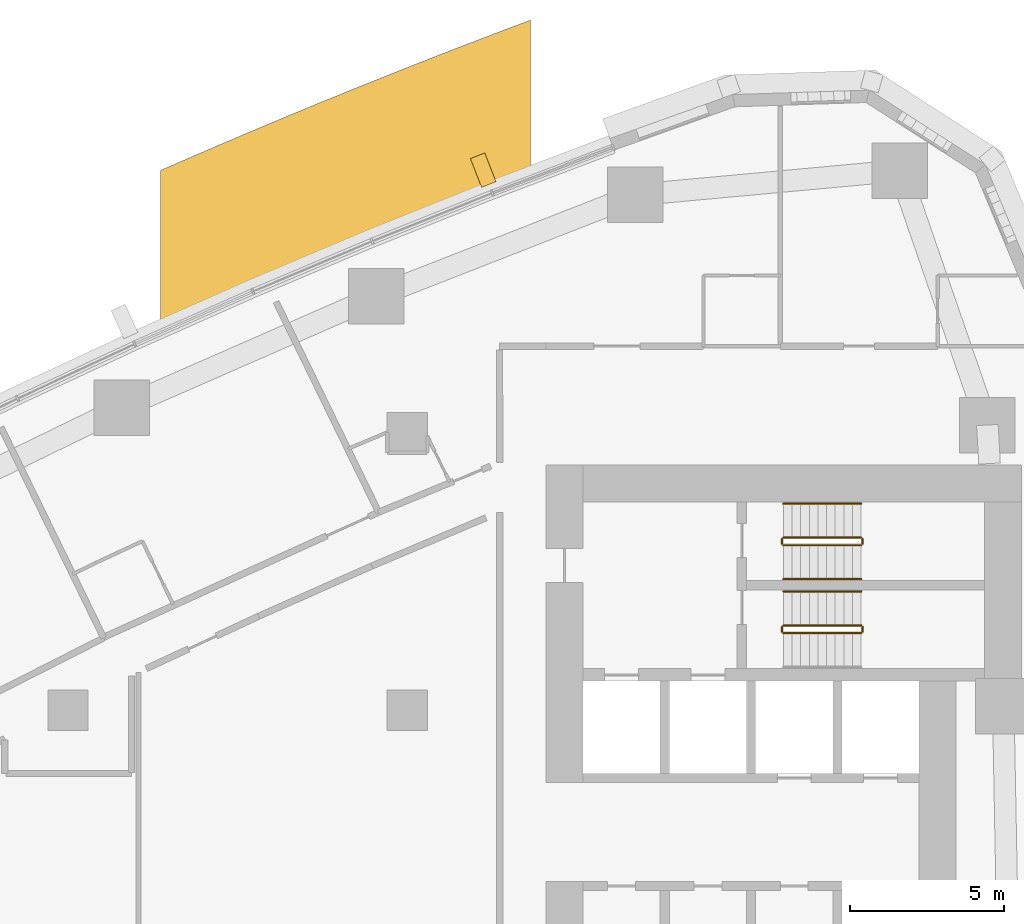
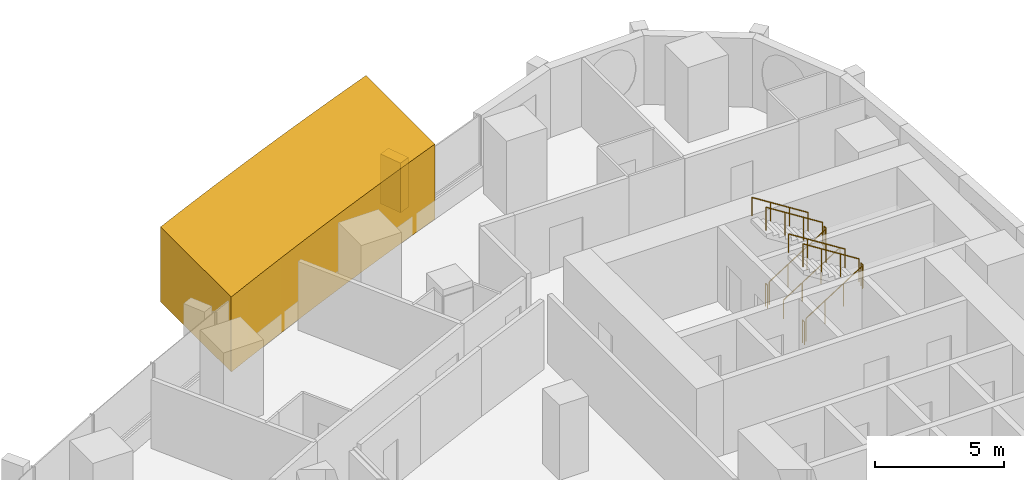
# One storey, part 18 of 19: 11 railings, 2 coverings.
"""IFC4 building model written with IfcOpenShell, lengths in metres."""

from ifc_helpers import new_model, si_unit, direction, frame, frame_2d, origin, origin_2d, place, context, subcontext, project, spatial, polyline, rectangle, circle, outline, extrude, material, layer, layer_set, type_object, element, save


model = new_model("IFC4")

# Units and contexts
model_context = context("Model", 3, precision=1e-05, world=origin(), true_north=direction((0.0, 1.0)))
body_context = subcontext(model_context, "Body", "Model", "MODEL_VIEW")
ifc_project = project(units=[si_unit("LENGTHUNIT", "METRE"), si_unit("AREAUNIT", "SQUARE_METRE"), si_unit("VOLUMEUNIT", "CUBIC_METRE"), si_unit("PLANEANGLEUNIT", "RADIAN"), si_unit("MASSUNIT", "GRAM", prefix="KILO")], contexts=[model_context])

# Site, building, storey
site_placement = place(None, origin())
site = spatial("IfcSite", under=ifc_project, at=site_placement, CompositionType="ELEMENT")
building_placement = place(site_placement, origin())
building = spatial("IfcBuilding", under=site, at=building_placement, Name="Ostrand Prow Hotel Tower", CompositionType="ELEMENT")
storey_placement = place(building_placement, frame((0.0, 0.0, 64.449951171875)))
storey = spatial("IfcBuildingStorey", under=building, at=storey_placement, Name="L14", CompositionType="ELEMENT", Elevation=64.449951171875)

# Coverings
ifc_material_1 = material(Name="Limestone cladding", Category="masonry")
ifc_layer_1 = layer(ifc_material_1, 5.0)
ifc_layer_set_1 = layer_set([ifc_layer_1], Name="Limestone cladding")
covering_type_1 = type_object("IfcCoveringType", Name="Portal jamb pilaster limestone", PredefinedType="CLADDING", material=ifc_layer_set_1)
covering_1_placement = place(storey_placement, origin())
element("IfcCovering", 1, at=covering_1_placement, inside=storey, type_object=covering_type_1, Name="Portal jamb NB L14", PredefinedType="CLADDING", context=body_context, shape_type="SweptSolid", body=[
    extrude(outline(polyline([(37.0, 21.037109375), (38.0, 21.484619140625), (39.0, 21.9267578125), (40.0, 22.363037109375), (41.0, 22.793701171875), (42.0, 23.218505859375), (43.0, 23.637939453125), (44.0, 24.051513671875), (45.0, 24.459716796875), (46.0, 24.862548828125), (47.0, 25.259765625), (48.0, 25.6513671875), (49.0, 26.03759765625), (49.0, 31.384521484375), (48.0, 31.0078125), (47.0, 30.62548828125), (46.0, 30.23828125), (45.0, 29.845703125), (44.0, 29.447509765625), (43.0, 29.044189453125), (42.0, 28.635498046875), (41.0, 28.22119140625), (40.0, 27.801513671875), (39.0, 27.376220703125), (38.0, 26.945556640625), (37.0, 26.50927734375), (37.0, 21.037109375)])), origin(), (0.0, 0.0, 1.0), 3.550048828125),
])
ifc_material_2 = material(Name="Limestone cladding", Category="masonry")
ifc_layer_2 = layer(ifc_material_2, 0.5)
ifc_layer_set_2 = layer_set([ifc_layer_2], Name="Limestone cladding")
covering_type_2 = type_object("IfcCoveringType", Name="Precast stone fin 500x900", PredefinedType="CLADDING", material=ifc_layer_set_2)
covering_2_placement = place(storey_placement, frame((47.64404296875, 26.04931640625, 0.900146484375), z_axis=(0.0, 0.0, 1.0), x_axis=(-0.363294415892, 0.931674389141, 0.0)))
element("IfcCovering", 2, at=covering_2_placement, inside=storey, type_object=covering_type_2, Name="Stone fin N 2", PredefinedType="CLADDING", context=body_context, shape_type="SweptSolid", body=[
    extrude(rectangle(XDim=1.0, YDim=0.5, at=frame_2d((0.5, 0.0))), origin(), (0.0, 0.0, 1.0), 2.349853515625),
])

# Railings
ifc_material_3 = material(Name="Painted steel", Category="steel")
railing_type_1 = type_object("IfcRailingType", Name="Stair guard 1100", PredefinedType="GUARDRAIL", material=ifc_material_3)
railing_1_placement = place(storey_placement, frame((57.199951171875, 11.5, 0.177490234375)))
element("IfcRailing", 3, at=railing_1_placement, inside=storey, type_object=railing_type_1, Name="L14 ST1C stair guard 1", PredefinedType="GUARDRAIL", context=body_context, shape_type="SweptSolid", body=[
    extrude(circle(Radius=0.02392578125, at=origin_2d()), frame((0.0, 0.0, 1.076171875), z_axis=(0.84456994832, 0.0, 0.535445237532), x_axis=(0.0, 1.0, 0.0)), (0.0, 0.0, 1.0), 2.98388671875),
    extrude(circle(Radius=0.02099609375, at=origin_2d()), origin(), (0.0, 0.0, 1.0), 1.052001953125),
    extrude(circle(Radius=0.02099609375, at=origin_2d()), frame((0.840087890625, 0.0, 0.532470703125)), (0.0, 0.0, 1.0), 1.052001953125),
    extrude(circle(Radius=0.02099609375, at=origin_2d()), frame((1.679931640625, 0.0, 1.065185546875)), (0.0, 0.0, 1.0), 1.052001953125),
    extrude(circle(Radius=0.02099609375, at=origin_2d()), frame((2.52001953125, 0.0, 1.59765625)), (0.0, 0.0, 1.0), 1.052001953125),
])
railing_2_placement = place(storey_placement, frame((59.77001953125, 11.550048828125, 1.775146484375)))
element("IfcRailing", 4, at=railing_2_placement, inside=storey, type_object=railing_type_1, Name="L14 ST1C stair guard 2", PredefinedType="GUARDRAIL", context=body_context, shape_type="SweptSolid", body=[
    extrude(circle(Radius=0.02392578125, at=origin_2d()), frame((0.0, 0.0, 1.076171875), z_axis=(0.0, 1.0, 0.0), x_axis=(-1.0, 0.0, 0.0)), (0.0, 0.0, 1.0), 0.14990234375),
    extrude(circle(Radius=0.02099609375, at=origin_2d()), origin(), (0.0, 0.0, 1.0), 1.052001953125),
    extrude(circle(Radius=0.02099609375, at=origin_2d()), frame((0.0, 0.14990234375, 0.0)), (0.0, 0.0, 1.0), 1.052001953125),
])
railing_3_placement = place(storey_placement, frame((59.719970703125, 11.75, 1.95263671875)))
element("IfcRailing", 5, at=railing_3_placement, inside=storey, type_object=railing_type_1, Name="L14 ST1C stair guard 3", PredefinedType="GUARDRAIL", context=body_context, shape_type="SweptSolid", body=[
    extrude(circle(Radius=0.02392578125, at=origin_2d()), frame((0.0, 0.0, 1.076171875), z_axis=(-0.84460694969, 0.0, 0.535386869969), x_axis=(0.0, -1.0, 0.0)), (0.0, 0.0, 1.0), 2.983642578125),
    extrude(circle(Radius=0.02099609375, at=origin_2d()), origin(), (0.0, 0.0, 1.0), 1.052001953125),
    extrude(circle(Radius=0.02099609375, at=origin_2d()), frame((-0.840087890625, 0.0, 0.532470703125)), (0.0, 0.0, 1.0), 1.052001953125),
    extrude(circle(Radius=0.02099609375, at=origin_2d()), frame((-1.679931640625, 0.0, 1.06494140625)), (0.0, 0.0, 1.0), 1.052001953125),
    extrude(circle(Radius=0.02099609375, at=origin_2d()), frame((-2.52001953125, 0.0, 1.597412109375)), (0.0, 0.0, 1.0), 1.052001953125),
])
railing_4_placement = place(storey_placement, frame((57.14990234375, 11.550048828125, 0.0)))
element("IfcRailing", 6, at=railing_4_placement, inside=storey, type_object=railing_type_1, Name="L14 ST1C stair guard 4", PredefinedType="GUARDRAIL", context=body_context, shape_type="SweptSolid", body=[
    extrude(circle(Radius=0.02392578125, at=origin_2d()), frame((0.0, 0.0, 1.076171875), z_axis=(0.0, 1.0, 0.0), x_axis=(-1.0, 0.0, 0.0)), (0.0, 0.0, 1.0), 0.14990234375),
    extrude(circle(Radius=0.02099609375, at=origin_2d()), origin(), (0.0, 0.0, 1.0), 1.052001953125),
    extrude(circle(Radius=0.02099609375, at=origin_2d()), frame((0.0, 0.14990234375, 0.0)), (0.0, 0.0, 1.0), 1.052001953125),
])
railing_5_placement = place(storey_placement, frame((57.199951171875, 14.35009765625, 0.177490234375)))
element("IfcRailing", 7, at=railing_5_placement, inside=storey, type_object=railing_type_1, Name="L14 ST3C stair guard 1", PredefinedType="GUARDRAIL", context=body_context, shape_type="SweptSolid", body=[
    extrude(circle(Radius=0.02392578125, at=origin_2d()), frame((0.0, 0.0, 1.076171875), z_axis=(0.84456994832, 0.0, 0.535445237532), x_axis=(0.0, 1.0, 0.0)), (0.0, 0.0, 1.0), 2.98388671875),
    extrude(circle(Radius=0.02099609375, at=origin_2d()), origin(), (0.0, 0.0, 1.0), 1.052001953125),
    extrude(circle(Radius=0.02099609375, at=origin_2d()), frame((0.840087890625, 0.0, 0.532470703125)), (0.0, 0.0, 1.0), 1.052001953125),
    extrude(circle(Radius=0.02099609375, at=origin_2d()), frame((1.679931640625, 0.0, 1.065185546875)), (0.0, 0.0, 1.0), 1.052001953125),
    extrude(circle(Radius=0.02099609375, at=origin_2d()), frame((2.52001953125, 0.0, 1.59765625)), (0.0, 0.0, 1.0), 1.052001953125),
])
railing_6_placement = place(storey_placement, frame((59.77001953125, 14.39990234375, 1.775146484375)))
element("IfcRailing", 8, at=railing_6_placement, inside=storey, type_object=railing_type_1, Name="L14 ST3C stair guard 2", PredefinedType="GUARDRAIL", context=body_context, shape_type="SweptSolid", body=[
    extrude(circle(Radius=0.02392578125, at=origin_2d()), frame((0.0, 0.0, 1.076171875), z_axis=(0.0, 1.0, 0.0), x_axis=(-1.0, 0.0, 0.0)), (0.0, 0.0, 1.0), 0.150146484375),
    extrude(circle(Radius=0.02099609375, at=origin_2d()), origin(), (0.0, 0.0, 1.0), 1.052001953125),
    extrude(circle(Radius=0.02099609375, at=origin_2d()), frame((0.0, 0.150146484375, 0.0)), (0.0, 0.0, 1.0), 1.052001953125),
])
railing_7_placement = place(storey_placement, frame((59.719970703125, 14.60009765625, 1.95263671875)))
element("IfcRailing", 9, at=railing_7_placement, inside=storey, type_object=railing_type_1, Name="L14 ST3C stair guard 3", PredefinedType="GUARDRAIL", context=body_context, shape_type="SweptSolid", body=[
    extrude(circle(Radius=0.02392578125, at=origin_2d()), frame((0.0, 0.0, 1.076171875), z_axis=(-0.84460694969, 0.0, 0.535386869969), x_axis=(0.0, -1.0, 0.0)), (0.0, 0.0, 1.0), 2.983642578125),
    extrude(circle(Radius=0.02099609375, at=origin_2d()), origin(), (0.0, 0.0, 1.0), 1.052001953125),
    extrude(circle(Radius=0.02099609375, at=origin_2d()), frame((-0.840087890625, 0.0, 0.532470703125)), (0.0, 0.0, 1.0), 1.052001953125),
    extrude(circle(Radius=0.02099609375, at=origin_2d()), frame((-1.679931640625, 0.0, 1.06494140625)), (0.0, 0.0, 1.0), 1.052001953125),
    extrude(circle(Radius=0.02099609375, at=origin_2d()), frame((-2.52001953125, 0.0, 1.597412109375)), (0.0, 0.0, 1.0), 1.052001953125),
])
railing_8_placement = place(storey_placement, frame((57.14990234375, 14.39990234375, 0.0)))
element("IfcRailing", 10, at=railing_8_placement, inside=storey, type_object=railing_type_1, Name="L14 ST3C stair guard 4", PredefinedType="GUARDRAIL", context=body_context, shape_type="SweptSolid", body=[
    extrude(circle(Radius=0.02392578125, at=origin_2d()), frame((0.0, 0.0, 1.076171875), z_axis=(0.0, 1.0, 0.0), x_axis=(-1.0, 0.0, 0.0)), (0.0, 0.0, 1.0), 0.150146484375),
    extrude(circle(Radius=0.02099609375, at=origin_2d()), origin(), (0.0, 0.0, 1.0), 1.052001953125),
    extrude(circle(Radius=0.02099609375, at=origin_2d()), frame((0.0, 0.150146484375, 0.0)), (0.0, 0.0, 1.0), 1.052001953125),
])
ifc_material_4 = material(Name="Stainless steel", Category="steel")
railing_type_2 = type_object("IfcRailingType", Name="Stair handrail 900", PredefinedType="HANDRAIL", material=ifc_material_4)
railing_9_placement = place(storey_placement, frame((59.719970703125, 12.85009765625, 1.95263671875)))
element("IfcRailing", 11, at=railing_9_placement, inside=storey, type_object=railing_type_2, Name="L14 ST1C stair handrail 2", PredefinedType="HANDRAIL", context=body_context, shape_type="SweptSolid", body=[
    extrude(circle(Radius=0.02392578125, at=origin_2d()), frame((0.0, 0.0, 0.8759765625), z_axis=(-0.84460694969, 0.0, 0.535386869969), x_axis=(0.0, -1.0, 0.0)), (0.0, 0.0, 1.0), 2.983642578125),
    extrude(circle(Radius=0.02099609375, at=origin_2d()), origin(), (0.0, 0.0, 1.0), 0.851806640625),
    extrude(circle(Radius=0.02099609375, at=origin_2d()), frame((-0.840087890625, 0.0, 0.532470703125)), (0.0, 0.0, 1.0), 0.851806640625),
    extrude(circle(Radius=0.02099609375, at=origin_2d()), frame((-1.679931640625, 0.0, 1.06494140625)), (0.0, 0.0, 1.0), 0.851806640625),
    extrude(circle(Radius=0.02099609375, at=origin_2d()), frame((-2.52001953125, 0.0, 1.597412109375)), (0.0, 0.0, 1.0), 0.851806640625),
])
railing_10_placement = place(storey_placement, frame((57.199951171875, 13.25, 0.177490234375)))
element("IfcRailing", 12, at=railing_10_placement, inside=storey, type_object=railing_type_2, Name="L14 ST3C stair handrail 1", PredefinedType="HANDRAIL", context=body_context, shape_type="SweptSolid", body=[
    extrude(circle(Radius=0.02392578125, at=origin_2d()), frame((0.0, 0.0, 0.8759765625), z_axis=(0.84456994832, 0.0, 0.535445237532), x_axis=(0.0, 1.0, 0.0)), (0.0, 0.0, 1.0), 2.98388671875),
    extrude(circle(Radius=0.02099609375, at=origin_2d()), origin(), (0.0, 0.0, 1.0), 0.851806640625),
    extrude(circle(Radius=0.02099609375, at=origin_2d()), frame((0.840087890625, 0.0, 0.532470703125)), (0.0, 0.0, 1.0), 0.851806640625),
    extrude(circle(Radius=0.02099609375, at=origin_2d()), frame((1.679931640625, 0.0, 1.065185546875)), (0.0, 0.0, 1.0), 0.851806640625),
    extrude(circle(Radius=0.02099609375, at=origin_2d()), frame((2.52001953125, 0.0, 1.59765625)), (0.0, 0.0, 1.0), 0.851806640625),
])
railing_11_placement = place(storey_placement, frame((59.719970703125, 15.699951171875, 1.95263671875)))
element("IfcRailing", 13, at=railing_11_placement, inside=storey, type_object=railing_type_2, Name="L14 ST3C stair handrail 2", PredefinedType="HANDRAIL", context=body_context, shape_type="SweptSolid", body=[
    extrude(circle(Radius=0.02392578125, at=origin_2d()), frame((0.0, 0.0, 0.8759765625), z_axis=(-0.84460694969, 0.0, 0.535386869969), x_axis=(0.0, -1.0, 0.0)), (0.0, 0.0, 1.0), 2.983642578125),
    extrude(circle(Radius=0.02099609375, at=origin_2d()), origin(), (0.0, 0.0, 1.0), 0.851806640625),
    extrude(circle(Radius=0.02099609375, at=origin_2d()), frame((-0.840087890625, 0.0, 0.532470703125)), (0.0, 0.0, 1.0), 0.851806640625),
    extrude(circle(Radius=0.02099609375, at=origin_2d()), frame((-1.679931640625, 0.0, 1.06494140625)), (0.0, 0.0, 1.0), 0.851806640625),
    extrude(circle(Radius=0.02099609375, at=origin_2d()), frame((-2.52001953125, 0.0, 1.597412109375)), (0.0, 0.0, 1.0), 0.851806640625),
])

save(model, "model.ifc")
